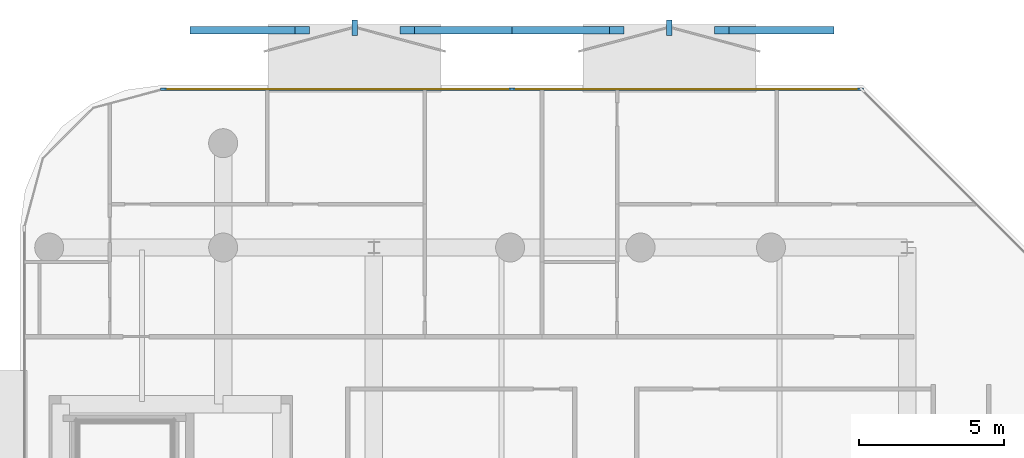
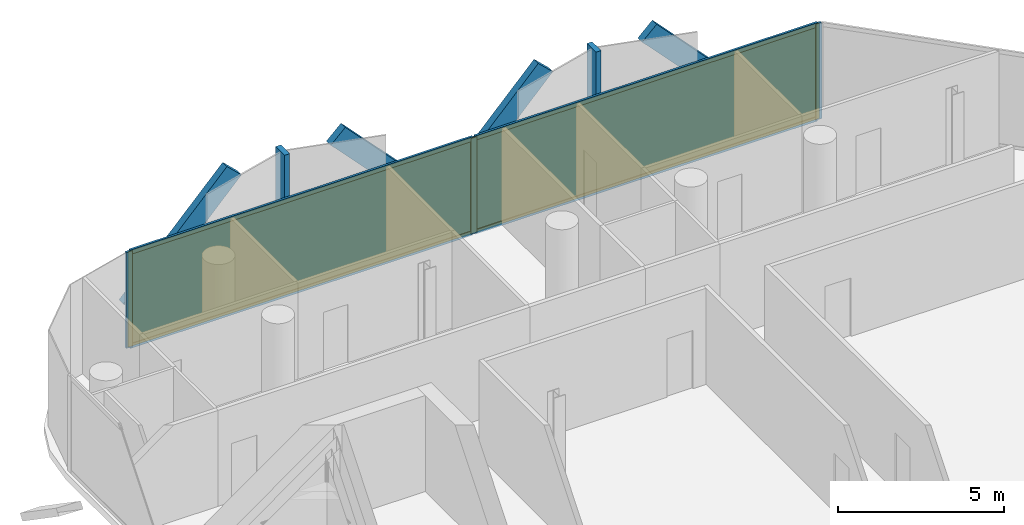
# One storey, part 12 of 16: 13 members, 2 plates, 1 curtain wall.
"""IFC4 building model written with IfcOpenShell, lengths in metres."""

from ifc_helpers import new_model, si_unit, direction, frame, frame_2d, origin, origin_2d, place, context, subcontext, project, spatial, rectangle, extrude, material, layer, layer_set, material_profile, profile_set, type_object, element, aggregate, save


model = new_model("IFC4")

# Units and contexts
model_context = context("Model", 3, precision=1e-05, world=origin(), true_north=direction((0.0, 1.0)))
body_context = subcontext(model_context, "Body", "Model", "MODEL_VIEW")
ifc_project = project(units=[si_unit("LENGTHUNIT", "METRE"), si_unit("AREAUNIT", "SQUARE_METRE"), si_unit("VOLUMEUNIT", "CUBIC_METRE"), si_unit("PLANEANGLEUNIT", "RADIAN"), si_unit("MASSUNIT", "GRAM", prefix="KILO")], contexts=[model_context])

# Member
ifc_material_1 = material(Name="Anodised Bronze Aluminium 6063-T6", Category="aluminium")
ifc_material_profile_1 = material_profile(ifc_material_1, rectangle(XDim=0.260009765625, YDim=0.699951171875, at=origin_2d()))
ifc_profile_set_1 = profile_set([ifc_material_profile_1], Name="Anodised Bronze Aluminium 6063-T6")
member_type_1 = type_object("IfcMemberType", Name="Bronze Diamond Solar-Screen Lattice Rib BDL-700", PredefinedType="MULLION", material=ifc_profile_set_1)
site_placement = place(None, origin())
building_placement = place(site_placement, origin())
storey_placement = place(building_placement, frame((0.0, 0.0, 300.39990234375)))
member_1_placement = place(storey_placement, frame((-15.290771484375, 26.10009765625, -0.1298828125), z_axis=(0.689611023819, 0.0, 0.724179974749), x_axis=(0.0, 1.0, 0.0)))
member_1 = element("IfcMember", 1, at=member_1_placement, type_object=member_type_1, Name="L72 Bronze Diamond Solar Screen Lattice Rib 506A", PredefinedType="MULLION", context=body_context, shape_type="SweptSolid", body=[
    extrude(rectangle(XDim=0.260009765625, YDim=0.699951171875, at=origin_2d()), origin(), (0.0, 0.0, 1.0), 5.247314453125),
])

member_2_placement = place(storey_placement, frame((-4.434326171875, 26.10009765625, -0.1298828125), z_axis=(-0.689635422677, 0.0, 0.724156739794), x_axis=(0.0, -1.0, 0.0)))
member_2 = element("IfcMember", 2, at=member_2_placement, type_object=member_type_1, Name="L72 Bronze Diamond Solar Screen Lattice Rib 506B", PredefinedType="MULLION", context=body_context, shape_type="SweptSolid", body=[
    extrude(rectangle(XDim=0.260009765625, YDim=0.699951171875, at=origin_2d()), origin(), (0.0, 0.0, 1.0), 5.24755859375),
])

member_3_placement = place(storey_placement, frame((-4.434326171875, 26.10009765625, -0.1298828125), z_axis=(0.689611023819, 0.0, 0.724179974749), x_axis=(0.0, 1.0, 0.0)))
member_3 = element("IfcMember", 3, at=member_3_placement, type_object=member_type_1, Name="L72 Bronze Diamond Solar Screen Lattice Rib 507A", PredefinedType="MULLION", context=body_context, shape_type="SweptSolid", body=[
    extrude(rectangle(XDim=0.260009765625, YDim=0.699951171875, at=origin_2d()), origin(), (0.0, 0.0, 1.0), 5.247314453125),
])

member_4_placement = place(storey_placement, frame((6.422119140625, 26.10009765625, -0.1298828125), z_axis=(-0.689635422677, 0.0, 0.724156739794), x_axis=(0.0, -1.0, 0.0)))
member_4 = element("IfcMember", 4, at=member_4_placement, type_object=member_type_1, Name="L72 Bronze Diamond Solar Screen Lattice Rib 507B", PredefinedType="MULLION", context=body_context, shape_type="SweptSolid", body=[
    extrude(rectangle(XDim=0.260009765625, YDim=0.699951171875, at=origin_2d()), origin(), (0.0, 0.0, 1.0), 5.24755859375),
])

ifc_material_2 = material(Name="Anodised Bronze Aluminium 6063-T6", Category="aluminium")
ifc_material_profile_2 = material_profile(ifc_material_2, rectangle(XDim=0.179931640625, YDim=0.5400390625, at=origin_2d()))
ifc_profile_set_2 = profile_set([ifc_material_profile_2], Name="Anodised Bronze Aluminium 6063-T6")
member_type_2 = type_object("IfcMemberType", Name="Bronze Solar-Screen Vertical Fold Fin BSF-540", PredefinedType="MULLION", material=ifc_profile_set_2)
member_5_placement = place(storey_placement, frame((-9.862548828125, 26.179931640625, -0.1298828125), z_axis=(0.0, 0.0, 1.0), x_axis=(1.0, 0.0, 0.0)))
member_5 = element("IfcMember", 5, at=member_5_placement, type_object=member_type_2, Name="L72 Bronze Solar Screen Vertical Fin 506", PredefinedType="MULLION", context=body_context, shape_type="SweptSolid", body=[
    extrude(rectangle(XDim=0.179931640625, YDim=0.5400390625, at=origin_2d()), origin(), (0.0, 0.0, 1.0), 3.800048828125),
])

member_6_placement = place(storey_placement, frame((0.993896484375, 26.179931640625, -0.1298828125), z_axis=(0.0, 0.0, 1.0), x_axis=(1.0, 0.0, 0.0)))
member_6 = element("IfcMember", 6, at=member_6_placement, type_object=member_type_2, Name="L72 Bronze Solar Screen Vertical Fin 507", PredefinedType="MULLION", context=body_context, shape_type="SweptSolid", body=[
    extrude(rectangle(XDim=0.179931640625, YDim=0.5400390625, at=origin_2d()), origin(), (0.0, 0.0, 1.0), 3.800048828125),
])

ifc_material_3 = material(Name="Anodised Bronze Aluminium 6063-T6", Category="aluminium")
ifc_material_profile_3 = material_profile(ifc_material_3, rectangle(XDim=0.074951171875, YDim=0.2099609375, at=origin_2d()))
ifc_profile_set_3 = profile_set([ifc_material_profile_3], Name="Anodised Bronze Aluminium 6063-T6")
member_type_3 = type_object("IfcMemberType", Name="CW-CRN Mullion 75x210", PredefinedType="MULLION", material=ifc_profile_set_3)
member_7_placement = place(storey_placement, frame((-16.453369140625, 24.06005859375, 0.0), z_axis=(0.0, 0.0, 1.0), x_axis=(0.0, 1.0, 0.0)))
member_7 = element("IfcMember", 7, at=member_7_placement, type_object=member_type_3, Name="CW-CRN mullion 1", PredefinedType="MULLION", context=body_context, shape_type="SweptSolid", body=[
    extrude(rectangle(XDim=0.074951171875, YDim=0.2099609375, at=origin_2d()), origin(), (0.0, 0.0, 1.0), 3.5400390625),
])

member_8_placement = place(storey_placement, frame((-4.434326171875, 24.06005859375, 0.0), z_axis=(0.0, 0.0, 1.0), x_axis=(0.0, 1.0, 0.0)))
member_8 = element("IfcMember", 8, at=member_8_placement, type_object=member_type_3, Name="CW-CRN mullion 2", PredefinedType="MULLION", context=body_context, shape_type="SweptSolid", body=[
    extrude(rectangle(XDim=0.074951171875, YDim=0.2099609375, at=origin_2d()), origin(), (0.0, 0.0, 1.0), 3.5400390625),
])

member_9_placement = place(storey_placement, frame((7.58447265625, 24.06005859375, 0.0), z_axis=(0.0, 0.0, 1.0), x_axis=(0.0, 1.0, 0.0)))
member_9 = element("IfcMember", 9, at=member_9_placement, type_object=member_type_3, Name="CW-CRN mullion 3", PredefinedType="MULLION", context=body_context, shape_type="SweptSolid", body=[
    extrude(rectangle(XDim=0.074951171875, YDim=0.2099609375, at=origin_2d()), origin(), (0.0, 0.0, 1.0), 3.5400390625),
])

ifc_material_4 = material(Name="Anodised Bronze Aluminium 6063-T6", Category="aluminium")
ifc_material_profile_4 = material_profile(ifc_material_4, rectangle(XDim=0.074951171875, YDim=0.1650390625, at=origin_2d()))
ifc_profile_set_4 = profile_set([ifc_material_profile_4], Name="Anodised Bronze Aluminium 6063-T6")
member_type_4 = type_object("IfcMemberType", Name="CW-CRN Transom 75x165", PredefinedType="USERDEFINED", material=ifc_profile_set_4)
member_10_placement = place(storey_placement, frame((-16.415771484375, 24.06005859375, 0.03759765625), z_axis=(1.0, 0.0, 0.0), x_axis=(0.0, 1.0, 0.0)))
member_10 = element("IfcMember", 10, at=member_10_placement, type_object=member_type_4, Name="CW-CRN transom 1.1", ObjectType="TRANSOM", PredefinedType="USERDEFINED", context=body_context, shape_type="SweptSolid", body=[
    extrude(rectangle(XDim=0.074951171875, YDim=0.1650390625, at=origin_2d()), origin(), (0.0, 0.0, 1.0), 11.94384765625),
])

member_11_placement = place(storey_placement, frame((-16.415771484375, 24.06005859375, 3.502685546875), z_axis=(1.0, 0.0, 0.0), x_axis=(0.0, 1.0, 0.0)))
member_11 = element("IfcMember", 11, at=member_11_placement, type_object=member_type_4, Name="CW-CRN transom 1.2", ObjectType="TRANSOM", PredefinedType="USERDEFINED", context=body_context, shape_type="SweptSolid", body=[
    extrude(rectangle(XDim=0.074951171875, YDim=0.1650390625, at=origin_2d()), origin(), (0.0, 0.0, 1.0), 11.94384765625),
])

member_12_placement = place(storey_placement, frame((-4.39697265625, 24.06005859375, 0.03759765625), z_axis=(1.0, 0.0, 0.0), x_axis=(0.0, 1.0, 0.0)))
member_12 = element("IfcMember", 12, at=member_12_placement, type_object=member_type_4, Name="CW-CRN transom 2.1", ObjectType="TRANSOM", PredefinedType="USERDEFINED", context=body_context, shape_type="SweptSolid", body=[
    extrude(rectangle(XDim=0.074951171875, YDim=0.1650390625, at=origin_2d()), origin(), (0.0, 0.0, 1.0), 11.944091796875),
])

member_13_placement = place(storey_placement, frame((-4.39697265625, 24.06005859375, 3.502685546875), z_axis=(1.0, 0.0, 0.0), x_axis=(0.0, 1.0, 0.0)))
member_13 = element("IfcMember", 13, at=member_13_placement, type_object=member_type_4, Name="CW-CRN transom 2.2", ObjectType="TRANSOM", PredefinedType="USERDEFINED", context=body_context, shape_type="SweptSolid", body=[
    extrude(rectangle(XDim=0.074951171875, YDim=0.1650390625, at=origin_2d()), origin(), (0.0, 0.0, 1.0), 11.944091796875),
])

# Plate
ifc_material_5 = material(Name="Low-E Solar Control Laminated Glass", Category="glass")
ifc_layer_1 = layer(ifc_material_5, 0.035888671875, Name="Low-E Solar Control Laminated Glass")
ifc_layer_set_1 = layer_set([ifc_layer_1], Name="Low-E Solar Control Laminated Glass")
plate_type = type_object("IfcPlateType", Name="CW-CRN Low-E Double Glazed Panel 36mm", PredefinedType="CURTAIN_PANEL", material=ifc_layer_set_1)
plate_1_placement = place(storey_placement, frame((-10.44384765625, 24.06005859375, 0.0751953125), z_axis=(0.0, 0.0, 1.0), x_axis=(1.0, 0.0, 0.0)))
plate_1 = element("IfcPlate", 14, at=plate_1_placement, type_object=plate_type, Name="CW-CRN panel 1.1", PredefinedType="CURTAIN_PANEL", context=body_context, shape_type="SweptSolid", body=[
    extrude(rectangle(XDim=11.94384765625, YDim=0.035888671875, at=origin_2d()), origin(), (0.0, 0.0, 1.0), 3.389892578125),
])

plate_2_placement = place(storey_placement, frame((1.574951171875, 24.06005859375, 0.0751953125), z_axis=(0.0, 0.0, 1.0), x_axis=(1.0, 0.0, 0.0)))
plate_2 = element("IfcPlate", 15, at=plate_2_placement, type_object=plate_type, Name="CW-CRN panel 2.1", PredefinedType="CURTAIN_PANEL", context=body_context, shape_type="SweptSolid", body=[
    extrude(rectangle(XDim=11.94384765625, YDim=0.035888671875, at=origin_2d()), origin(), (0.0, 0.0, 1.0), 3.389892578125),
])

# Site, building, storey
site = spatial("IfcSite", under=ifc_project, at=site_placement, CompositionType="ELEMENT")
building = spatial("IfcBuilding", under=site, at=building_placement, Name="Khairoan Windgate Tower", CompositionType="ELEMENT")
storey = spatial("IfcBuildingStorey", under=building, at=storey_placement, Name="L72", CompositionType="ELEMENT", Elevation=300.39990234375)

# Curtain wall
ifc_material_6 = material(Name="Anodised Bronze Aluminium 6063-T6", Category="aluminium")
ifc_layer_2 = layer(ifc_material_6, 0.2099609375, Name="Anodised Bronze Aluminium 6063-T6")
ifc_layer_set_2 = layer_set([ifc_layer_2], Name="Anodised Bronze Aluminium 6063-T6")
curtain_wall_type = type_object("IfcCurtainWallType", Name="Crown Observation and Vitrine Curtain Wall CW-CRN", PredefinedType="NOTDEFINED", material=ifc_layer_set_2)
curtain_wall_placement = place(storey_placement, frame((-16.49072265625, 24.06005859375, 0.0), z_axis=(0.0, 0.0, 1.0), x_axis=(1.0, 0.0, 0.0)))
curtain_wall = element("IfcCurtainWall", 16, at=curtain_wall_placement, inside=storey, type_object=curtain_wall_type, Name="L72 Unitised Curtain Wall 7", PredefinedType="NOTDEFINED", context=body_context, shape_type="SweptSolid", body=[
    extrude(rectangle(XDim=24.11279296875, YDim=0.010009765625, at=frame_2d((12.056396484375, 0.0))), origin(), (0.0, 0.0, 1.0), 3.5400390625),
])

aggregate(curtain_wall, [member_7, member_8, member_9, member_10, member_11, plate_1, member_12, member_13, plate_2, member_1, member_2, member_5, member_3, member_4, member_6])

save(model, "model.ifc")
